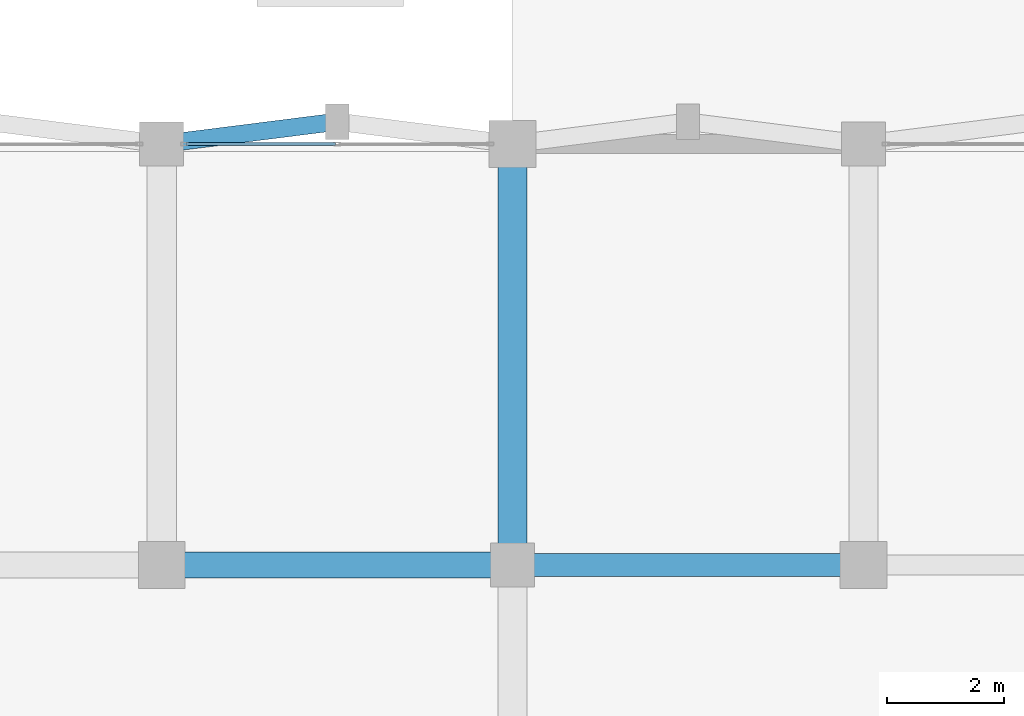
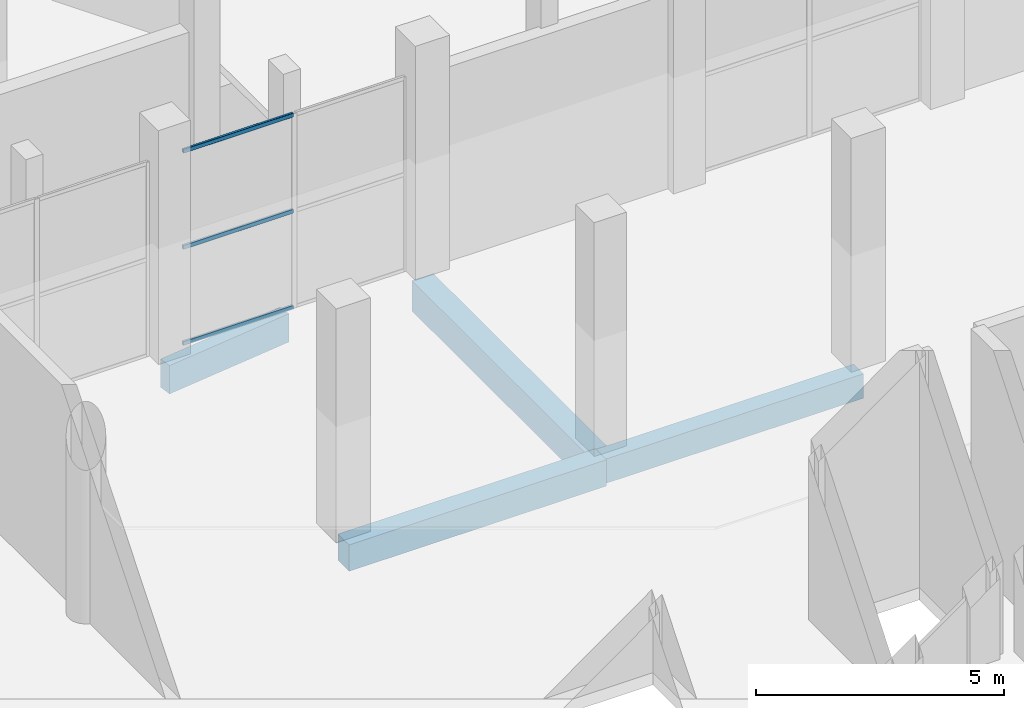
# One storey, part 38 of 103: 4 beams, 3 members, 1 element without a shape of its own.
"""IFC4 building model written with IfcOpenShell, lengths in metres."""

import ifcopenshell
import ifcopenshell.guid

model = None  # the IFC model being written
_history = None  # IfcOwnerHistory: only IFC2X3 demands one
_inside = {}  # id of a spatial element -> (the spatial element, [elements in it])
_under = {}  # id of a project, library or spatial element -> (it, [spatial elements below it])
_declared = {}  # id of a project -> (the project, [libraries it declares])
_typed = {}  # id of a type object -> (the type object, [elements of that type])
_made_of = {}  # id of a material, layer set ... -> (it, [elements and type objects made of it])


def new_model(schema):
    """Start an empty IFC model of exactly this schema.

    Asked for "IFC4X3", IfcOpenShell would pick the latest addendum, in which some entities
    have other attributes; the version numbers below select the first issue.
    IFC2X3 requires an IfcOwnerHistory on every rooted entity: one is made here for all.
    """
    global model, _history
    if schema == "IFC4X3":
        model = ifcopenshell.file(schema_version=(4, 3, 0, 0))
    else:
        model = ifcopenshell.file(schema=schema)
    _inside.clear()
    _under.clear()
    _declared.clear()
    _typed.clear()
    _made_of.clear()
    _history = None
    if model.schema == "IFC2X3":
        org = make("IfcOrganization", Name="unknown")
        user = make(
            "IfcPersonAndOrganization",
            ThePerson=make("IfcPerson", FamilyName="unknown"),
            TheOrganization=org,
        )
        app = make(
            "IfcApplication",
            ApplicationDeveloper=org,
            Version="unknown",
            ApplicationFullName="unknown",
            ApplicationIdentifier="unknown",
        )
        _history = make(
            "IfcOwnerHistory",
            OwningUser=user,
            OwningApplication=app,
            ChangeAction="ADDED",
            CreationDate=0,
        )
    return model


def make(cls, **values):
    """One entity of the class cls with the attributes given. An attribute that is None is left unset."""
    return model.create_entity(
        cls, **{name: value for name, value in values.items() if value is not None}
    )


def rooted(cls, **values):
    """An entity with a GlobalId (a new one), such as an element, a storey or a relation."""
    return make(cls, GlobalId=ifcopenshell.guid.new(), OwnerHistory=_history, **values)


def si_unit(unit_type, name, prefix=None):
    """IfcSIUnit, for example si_unit("LENGTHUNIT", "METRE", prefix="MILLI")."""
    return make("IfcSIUnit", UnitType=unit_type, Prefix=prefix, Name=name)


def assignment(units):
    """IfcUnitAssignment: the units of a project."""
    return None if units is None else make("IfcUnitAssignment", Units=units)


def point(xyz):
    """IfcCartesianPoint."""
    return None if xyz is None else make("IfcCartesianPoint", Coordinates=xyz)


def direction(xyz):
    """IfcDirection."""
    return None if xyz is None else make("IfcDirection", DirectionRatios=xyz)


def frame(location, z_axis=None, x_axis=None):
    """IfcAxis2Placement3D, a coordinate frame: its origin and axes. An axis left out is left unset."""
    return make(
        "IfcAxis2Placement3D",
        Location=point(location),
        Axis=direction(z_axis),
        RefDirection=direction(x_axis),
    )


def frame_2d(location, x_axis=None):
    """IfcAxis2Placement2D, a coordinate frame in the plane: its origin and x axis."""
    return make(
        "IfcAxis2Placement2D", Location=point(location), RefDirection=direction(x_axis)
    )


def origin():
    """The frame at (0, 0, 0) with its axes left unset."""
    return frame((0.0, 0.0, 0.0))


def origin_2d():
    """The frame at (0, 0) in the plane with its x axis left unset."""
    return frame_2d((0.0, 0.0))


def place(relative_to, where):
    """IfcLocalPlacement: puts the frame where relative to a parent placement (None: the world)."""
    return make(
        "IfcLocalPlacement", PlacementRelTo=relative_to, RelativePlacement=where
    )


def context(
    kind, dimensions, precision=None, world=None, true_north=None, identifier=None
):
    """IfcGeometricRepresentationContext, for example the 3D "Model" context."""
    return make(
        "IfcGeometricRepresentationContext",
        ContextIdentifier=identifier,
        ContextType=kind,
        CoordinateSpaceDimension=dimensions,
        Precision=precision,
        WorldCoordinateSystem=world,
        TrueNorth=true_north,
    )


def subcontext(parent, identifier, kind, view, scale=None):
    """IfcGeometricRepresentationSubContext, for example "Body" below "Model"."""
    return make(
        "IfcGeometricRepresentationSubContext",
        ContextIdentifier=identifier,
        ContextType=kind,
        ParentContext=parent,
        TargetScale=scale,
        TargetView=view,
    )


def project(units=None, contexts=None):
    """IfcProject with its units and contexts."""
    return rooted(
        "IfcProject",
        Name="project",
        RepresentationContexts=contexts,
        UnitsInContext=assignment(units),
    )


def spatial(cls, under=None, at=None, **own):
    """A site, building, storey or space (cls), placed at a placement, below another one or the project."""
    s = rooted(cls, ObjectPlacement=at, **own)
    if under is not None:
        _under.setdefault(under.id(), (under, []))[1].append(s)
    return s


def profile(cls, at=None, kind="AREA", **sizes):
    """A parametric profile (cls). Its sizes go by their IFC names, for example OverallWidth=200.0."""
    return make(cls, ProfileType=kind, Position=at, **sizes)


def rectangle(**sizes):
    """IfcRectangleProfileDef."""
    return profile("IfcRectangleProfileDef", **sizes)


def hollow_rectangle(**sizes):
    """IfcRectangleHollowProfileDef."""
    return profile("IfcRectangleHollowProfileDef", **sizes)


def extrude(swept, where, along, depth):
    """IfcExtrudedAreaSolid: the profile swept, set in the frame where, extruded along a direction by depth."""
    return make(
        "IfcExtrudedAreaSolid",
        SweptArea=swept,
        Position=where,
        ExtrudedDirection=direction(along),
        Depth=depth,
    )


def shape(context_of_items, identifier, shape_type, items):
    """IfcShapeRepresentation: the items that make up one representation, for example the "Body"."""
    return make(
        "IfcShapeRepresentation",
        ContextOfItems=context_of_items,
        RepresentationIdentifier=identifier,
        RepresentationType=shape_type,
        Items=items,
    )


def material(Name=None, Category=None):
    """IfcMaterial."""
    return make("IfcMaterial", Name=Name, Category=Category)


def layer(
    of_material, thickness, ventilated=None, Name=None, Category=None, Priority=None
):
    """IfcMaterialLayer: one layer of a wall or slab, of a material (None: an air gap)."""
    return make(
        "IfcMaterialLayer",
        Material=of_material,
        LayerThickness=thickness,
        IsVentilated=ventilated,
        Name=Name,
        Category=Category,
        Priority=Priority,
    )


def layer_set(layers, Name=None):
    """IfcMaterialLayerSet."""
    return make("IfcMaterialLayerSet", MaterialLayers=layers, LayerSetName=Name)


def material_profile(
    of_material, cross_section, Name=None, Category=None, Priority=None
):
    """IfcMaterialProfile: a cross section and its material."""
    return make(
        "IfcMaterialProfile",
        Name=Name,
        Material=of_material,
        Profile=cross_section,
        Priority=Priority,
        Category=Category,
    )


def profile_set(profiles, Name=None, composite=None):
    """IfcMaterialProfileSet."""
    return make(
        "IfcMaterialProfileSet",
        Name=Name,
        MaterialProfiles=profiles,
        CompositeProfile=composite,
    )


def made_of(thing, what):
    """Note that an element or type object is made of a material, layer set ...; save() writes the relation."""
    if what is not None:
        _made_of.setdefault(what.id(), (what, []))[1].append(thing)
    return thing


def type_object(cls, material=None, **own):
    """A type object (cls), such as IfcWallType, which elements share."""
    return made_of(rooted(cls, **own), material)


def element(
    cls,
    number,
    at=None,
    inside=None,
    cuts=None,
    type_object=None,
    material=None,
    context=None,
    identifier="Body",
    shape_type=None,
    held_by="IfcProductDefinitionShape",
    body=None,
    shapes=None,
    **own,
):
    """One element of the class cls, such as IfcWall. Its Tag is "e" and its number.

    at: its placement. inside: the storey or other place that contains it. cuts: it is an
    opening in that element (IfcRelVoidsElement). A single representation is given by context,
    identifier, shape_type and body (its items); several are given by shapes. held_by: the class
    of the entity that holds the representations. save() writes the other relations.
    """
    e = rooted(cls, Tag="e%d" % number, ObjectPlacement=at, **own)
    if body is not None:
        shapes = [shape(context, identifier, shape_type, body)]
    if shapes is not None:
        e.Representation = make(held_by, Representations=shapes)
    if inside is not None:
        _inside.setdefault(inside.id(), (inside, []))[1].append(e)
    if cuts is not None:
        rooted(
            "IfcRelVoidsElement", RelatingBuildingElement=cuts, RelatedOpeningElement=e
        )
    if type_object is not None:
        _typed.setdefault(type_object.id(), (type_object, []))[1].append(e)
    return made_of(e, material)


def aggregate(whole, parts):
    """IfcRelAggregates: a whole, such as a stair, and the parts it consists of."""
    return rooted("IfcRelAggregates", RelatingObject=whole, RelatedObjects=parts)


def save(model, path):
    """Write the relations noted so far, then the file.

    IfcRelAggregates (storeys below a building ...), IfcRelContainedInSpatialStructure (elements
    in a storey), IfcRelDefinesByType, IfcRelAssociatesMaterial and IfcRelDeclares: one each for
    every whole, place, type object, material and project.
    """
    for whole, parts in _under.values():
        aggregate(whole, parts)
    for where, things in _inside.values():
        rooted(
            "IfcRelContainedInSpatialStructure",
            RelatedElements=things,
            RelatingStructure=where,
        )
    for kind, things in _typed.values():
        rooted("IfcRelDefinesByType", RelatedObjects=things, RelatingType=kind)
    for what, things in _made_of.values():
        rooted("IfcRelAssociatesMaterial", RelatedObjects=things, RelatingMaterial=what)
    for by, libraries in _declared.values():
        rooted("IfcRelDeclares", RelatingContext=by, RelatedDefinitions=libraries)
    model.write(path)


model = new_model("IFC4")

# Units and contexts
model_context = context("Model", 3, precision=1e-05, world=origin(), true_north=direction((0.0, 1.0)))
body_context = subcontext(model_context, "Body", "Model", "MODEL_VIEW")
ifc_project = project(units=[si_unit("LENGTHUNIT", "METRE"), si_unit("AREAUNIT", "SQUARE_METRE"), si_unit("VOLUMEUNIT", "CUBIC_METRE"), si_unit("PLANEANGLEUNIT", "RADIAN"), si_unit("MASSUNIT", "GRAM", prefix="KILO")], contexts=[model_context])

# Site, building, storey
site_placement = place(None, origin())
site = spatial("IfcSite", under=ifc_project, at=site_placement, CompositionType="ELEMENT")
building_placement = place(site_placement, origin())
building = spatial("IfcBuilding", under=site, at=building_placement, Name="Dunvalen Ferry Terminal", CompositionType="ELEMENT")
storey_placement = place(building_placement, origin())
storey = spatial("IfcBuildingStorey", under=building, at=storey_placement, Name="L00", CompositionType="ELEMENT", Elevation=0.0)

# Curtain wall, members
ifc_material_1 = material(Name="Anodised marine aluminium and solar-control glazing", Category="aluminium")
ifc_layer = layer(ifc_material_1, 0.14990234375, Name="Anodised marine aluminium and solar-control glazing")
ifc_layer_set = layer_set([ifc_layer], Name="Anodised marine aluminium and solar-control glazing")
curtain_wall_type = type_object("IfcCurtainWallType", Name="ENV-CW-SYS-11", PredefinedType="NOTDEFINED", material=ifc_layer_set)
curtain_wall_placement = place(storey_placement, origin())
curtain_wall = element("IfcCurtainWall", 1, at=curtain_wall_placement, inside=storey, type_object=curtain_wall_type, Name="L00 Curtain Wall CW-V5CORE-L00-7-9", PredefinedType="NOTDEFINED")
ifc_material_2 = material(Name="Anodised marine aluminium EN AW-6063 T6", Category="aluminium")
ifc_material_profile_1 = material_profile(ifc_material_2, hollow_rectangle(XDim=0.054931640625, YDim=0.10009765625, WallThickness=0.0029296875, InnerFilletRadius=0.0029296875, OuterFilletRadius=0.006103515625, at=origin_2d()), Name="Anodised marine aluminium EN AW-6063 T6")
ifc_profile_set_1 = profile_set([ifc_material_profile_1], Name="Anodised marine aluminium EN AW-6063 T6")
member_type = type_object("IfcMemberType", Name="ENV-CW-TRN-4", PredefinedType="USERDEFINED", material=ifc_profile_set_1)
member_1_placement = place(storey_placement, frame((32.972412109375, 36.0, 0.027587890625), z_axis=(-1.0, 0.0, 0.0), x_axis=(0.0, -1.0, 0.0)))
member_1 = element("IfcMember", 2, at=member_1_placement, type_object=member_type, Name="CW-11 transom 2.1", ObjectType="TRANSOM", PredefinedType="USERDEFINED", context=body_context, shape_type="SweptSolid", body=[
    extrude(hollow_rectangle(XDim=0.054931640625, YDim=0.10009765625, WallThickness=0.0029296875, InnerFilletRadius=0.0029296875, OuterFilletRadius=0.006103515625, at=origin_2d()), origin(), (0.0, 0.0, 1.0), 2.557373046875),
])
member_2_placement = place(storey_placement, frame((32.972412109375, 36.0, 2.39501953125), z_axis=(-1.0, 0.0, 0.0), x_axis=(0.0, -1.0, 0.0)))
member_2 = element("IfcMember", 3, at=member_2_placement, type_object=member_type, Name="CW-11 transom 2.2", ObjectType="TRANSOM", PredefinedType="USERDEFINED", context=body_context, shape_type="SweptSolid", body=[
    extrude(hollow_rectangle(XDim=0.054931640625, YDim=0.10009765625, WallThickness=0.0029296875, InnerFilletRadius=0.0029296875, OuterFilletRadius=0.006103515625, at=origin_2d()), origin(), (0.0, 0.0, 1.0), 2.557373046875),
])
member_3_placement = place(storey_placement, frame((32.972412109375, 36.0, 4.762451171875), z_axis=(-1.0, 0.0, 0.0), x_axis=(0.0, -1.0, 0.0)))
member_3 = element("IfcMember", 4, at=member_3_placement, type_object=member_type, Name="CW-11 transom 2.3", ObjectType="TRANSOM", PredefinedType="USERDEFINED", context=body_context, shape_type="SweptSolid", body=[
    extrude(hollow_rectangle(XDim=0.054931640625, YDim=0.10009765625, WallThickness=0.0029296875, InnerFilletRadius=0.0029296875, OuterFilletRadius=0.006103515625, at=origin_2d()), origin(), (0.0, 0.0, 1.0), 2.557373046875),
])
aggregate(curtain_wall, [member_1, member_2, member_3])

# Beams
ifc_material_3 = material(Name="Concrete C35/45", Category="concrete")
ifc_material_profile_2 = material_profile(ifc_material_3, rectangle(XDim=0.39990234375, YDim=0.60009765625, at=origin_2d()), Name="Concrete C35/45")
ifc_profile_set_2 = profile_set([ifc_material_profile_2], Name="Concrete C35/45")
beam_type_1 = type_object("IfcBeamType", Name="STR-BM-RCB600", PredefinedType="BEAM", material=ifc_profile_set_2)
beam_1_placement = place(storey_placement, frame((36.0, 28.800048828125, -0.60009765625), z_axis=(1.0, 0.0, 0.0), x_axis=(0.0, 1.0, 0.0)))
element("IfcBeam", 5, at=beam_1_placement, inside=storey, type_object=beam_type_1, Name="L00 V5P0 Primary Beam X-058", PredefinedType="BEAM", context=body_context, shape_type="SweptSolid", body=[
    extrude(rectangle(XDim=0.39990234375, YDim=0.60009765625, at=origin_2d()), origin(), (0.0, 0.0, 1.0), 6.0),
])
ifc_material_4 = material(Name="Concrete C40/50", Category="concrete")
ifc_material_profile_3 = material_profile(ifc_material_4, rectangle(XDim=0.449951171875, YDim=0.64990234375, at=origin_2d()), Name="Concrete C40/50")
ifc_profile_set_3 = profile_set([ifc_material_profile_3], Name="Concrete C40/50")
beam_type_2 = type_object("IfcBeamType", Name="STR-BM-RCB650W", PredefinedType="BEAM", material=ifc_profile_set_3)
beam_2_placement = place(storey_placement, frame((30.0, 28.800048828125, -0.625), z_axis=(1.0, 0.0, 0.0), x_axis=(0.0, 1.0, 0.0)))
element("IfcBeam", 6, at=beam_2_placement, inside=storey, type_object=beam_type_2, Name="L00 V5P0 Primary Beam X-057", PredefinedType="BEAM", context=body_context, shape_type="SweptSolid", body=[
    extrude(rectangle(XDim=0.449951171875, YDim=0.64990234375, at=origin_2d()), origin(), (0.0, 0.0, 1.0), 6.0),
])
ifc_material_profile_4 = material_profile(ifc_material_4, rectangle(XDim=0.5, YDim=0.75, at=origin_2d()), Name="Concrete C40/50")
ifc_profile_set_4 = profile_set([ifc_material_profile_4], Name="Concrete C40/50")
beam_type_3 = type_object("IfcBeamType", Name="STR-BM-RCB750", PredefinedType="BEAM", material=ifc_profile_set_4)
beam_3_placement = place(storey_placement, frame((36.0, 28.800048828125, -0.675048828125), z_axis=(0.0, 1.0, 0.0), x_axis=(-1.0, 0.0, 0.0)))
element("IfcBeam", 7, at=beam_3_placement, inside=storey, type_object=beam_type_3, Name="L00 V5P0 Primary Girder Y-104", PredefinedType="BEAM", context=body_context, shape_type="SweptSolid", body=[
    extrude(rectangle(XDim=0.5, YDim=0.75, at=origin_2d()), origin(), (0.0, 0.0, 1.0), 7.199951171875),
])
ifc_material_profile_5 = material_profile(ifc_material_4, rectangle(XDim=0.300048828125, YDim=0.699951171875, at=origin_2d()), Name="Concrete C40/50")
ifc_profile_set_5 = profile_set([ifc_material_profile_5], Name="Concrete C40/50")
beam_type_4 = type_object("IfcBeamType", Name="STR-BM-RCSP700", PredefinedType="SPANDREL", material=ifc_profile_set_5)
beam_4_placement = place(storey_placement, frame((30.0, 36.0, -0.64990234375), z_axis=(0.992077869489, 0.12562444376, 0.0), x_axis=(-0.12562444376, 0.992077869489, 0.0)))
element("IfcBeam", 8, at=beam_4_placement, inside=storey, type_object=beam_type_4, Name="L00 Passage Pilaster Spandrel Tie 04.1", PredefinedType="SPANDREL", context=body_context, shape_type="SweptSolid", body=[
    extrude(rectangle(XDim=0.300048828125, YDim=0.699951171875, at=origin_2d()), origin(), (0.0, 0.0, 1.0), 3.02392578125),
])

save(model, "model.ifc")
